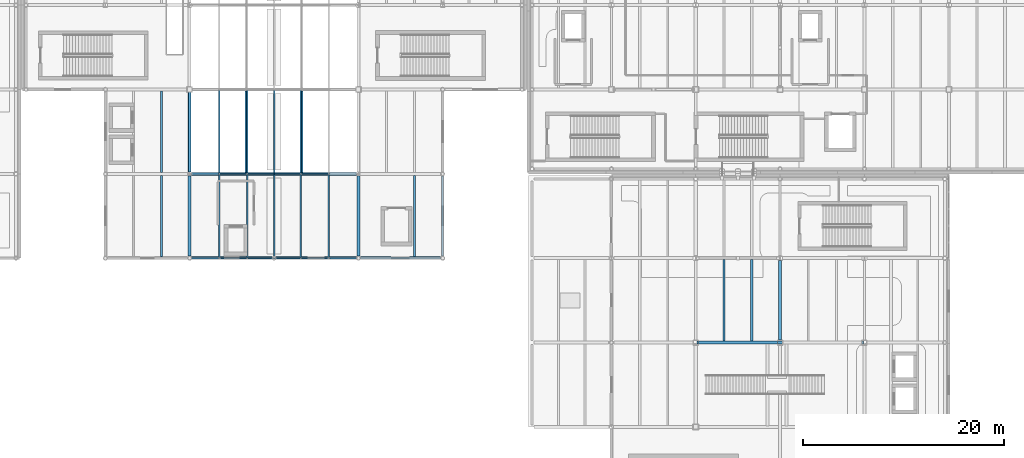
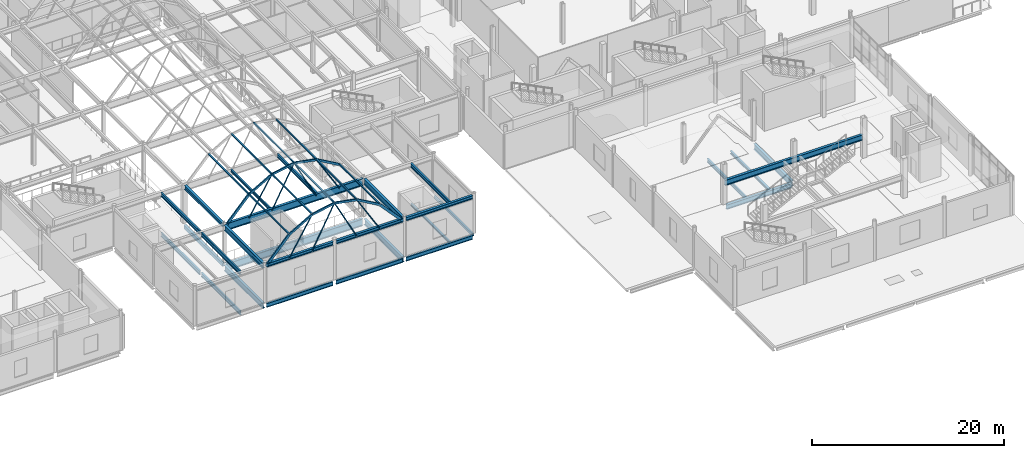
# One storey, part 22 of 103: 28 beams, 28 members.
"""IFC4 building model written with IfcOpenShell, lengths in metres."""

import ifcopenshell
import ifcopenshell.guid

model = None  # the IFC model being written
_history = None  # IfcOwnerHistory: only IFC2X3 demands one
_inside = {}  # id of a spatial element -> (the spatial element, [elements in it])
_under = {}  # id of a project, library or spatial element -> (it, [spatial elements below it])
_declared = {}  # id of a project -> (the project, [libraries it declares])
_typed = {}  # id of a type object -> (the type object, [elements of that type])
_made_of = {}  # id of a material, layer set ... -> (it, [elements and type objects made of it])


def new_model(schema):
    """Start an empty IFC model of exactly this schema.

    Asked for "IFC4X3", IfcOpenShell would pick the latest addendum, in which some entities
    have other attributes; the version numbers below select the first issue.
    IFC2X3 requires an IfcOwnerHistory on every rooted entity: one is made here for all.
    """
    global model, _history
    if schema == "IFC4X3":
        model = ifcopenshell.file(schema_version=(4, 3, 0, 0))
    else:
        model = ifcopenshell.file(schema=schema)
    _inside.clear()
    _under.clear()
    _declared.clear()
    _typed.clear()
    _made_of.clear()
    _history = None
    if model.schema == "IFC2X3":
        org = make("IfcOrganization", Name="unknown")
        user = make(
            "IfcPersonAndOrganization",
            ThePerson=make("IfcPerson", FamilyName="unknown"),
            TheOrganization=org,
        )
        app = make(
            "IfcApplication",
            ApplicationDeveloper=org,
            Version="unknown",
            ApplicationFullName="unknown",
            ApplicationIdentifier="unknown",
        )
        _history = make(
            "IfcOwnerHistory",
            OwningUser=user,
            OwningApplication=app,
            ChangeAction="ADDED",
            CreationDate=0,
        )
    return model


def make(cls, **values):
    """One entity of the class cls with the attributes given. An attribute that is None is left unset."""
    return model.create_entity(
        cls, **{name: value for name, value in values.items() if value is not None}
    )


def rooted(cls, **values):
    """An entity with a GlobalId (a new one), such as an element, a storey or a relation."""
    return make(cls, GlobalId=ifcopenshell.guid.new(), OwnerHistory=_history, **values)


def si_unit(unit_type, name, prefix=None):
    """IfcSIUnit, for example si_unit("LENGTHUNIT", "METRE", prefix="MILLI")."""
    return make("IfcSIUnit", UnitType=unit_type, Prefix=prefix, Name=name)


def assignment(units):
    """IfcUnitAssignment: the units of a project."""
    return None if units is None else make("IfcUnitAssignment", Units=units)


def point(xyz):
    """IfcCartesianPoint."""
    return None if xyz is None else make("IfcCartesianPoint", Coordinates=xyz)


def direction(xyz):
    """IfcDirection."""
    return None if xyz is None else make("IfcDirection", DirectionRatios=xyz)


def frame(location, z_axis=None, x_axis=None):
    """IfcAxis2Placement3D, a coordinate frame: its origin and axes. An axis left out is left unset."""
    return make(
        "IfcAxis2Placement3D",
        Location=point(location),
        Axis=direction(z_axis),
        RefDirection=direction(x_axis),
    )


def frame_2d(location, x_axis=None):
    """IfcAxis2Placement2D, a coordinate frame in the plane: its origin and x axis."""
    return make(
        "IfcAxis2Placement2D", Location=point(location), RefDirection=direction(x_axis)
    )


def origin():
    """The frame at (0, 0, 0) with its axes left unset."""
    return frame((0.0, 0.0, 0.0))


def origin_2d():
    """The frame at (0, 0) in the plane with its x axis left unset."""
    return frame_2d((0.0, 0.0))


def place(relative_to, where):
    """IfcLocalPlacement: puts the frame where relative to a parent placement (None: the world)."""
    return make(
        "IfcLocalPlacement", PlacementRelTo=relative_to, RelativePlacement=where
    )


def context(
    kind, dimensions, precision=None, world=None, true_north=None, identifier=None
):
    """IfcGeometricRepresentationContext, for example the 3D "Model" context."""
    return make(
        "IfcGeometricRepresentationContext",
        ContextIdentifier=identifier,
        ContextType=kind,
        CoordinateSpaceDimension=dimensions,
        Precision=precision,
        WorldCoordinateSystem=world,
        TrueNorth=true_north,
    )


def subcontext(parent, identifier, kind, view, scale=None):
    """IfcGeometricRepresentationSubContext, for example "Body" below "Model"."""
    return make(
        "IfcGeometricRepresentationSubContext",
        ContextIdentifier=identifier,
        ContextType=kind,
        ParentContext=parent,
        TargetScale=scale,
        TargetView=view,
    )


def project(units=None, contexts=None):
    """IfcProject with its units and contexts."""
    return rooted(
        "IfcProject",
        Name="project",
        RepresentationContexts=contexts,
        UnitsInContext=assignment(units),
    )


def spatial(cls, under=None, at=None, **own):
    """A site, building, storey or space (cls), placed at a placement, below another one or the project."""
    s = rooted(cls, ObjectPlacement=at, **own)
    if under is not None:
        _under.setdefault(under.id(), (under, []))[1].append(s)
    return s


def profile(cls, at=None, kind="AREA", **sizes):
    """A parametric profile (cls). Its sizes go by their IFC names, for example OverallWidth=200.0."""
    return make(cls, ProfileType=kind, Position=at, **sizes)


def hollow_rectangle(**sizes):
    """IfcRectangleHollowProfileDef."""
    return profile("IfcRectangleHollowProfileDef", **sizes)


def hollow_circle(**sizes):
    """IfcCircleHollowProfileDef."""
    return profile("IfcCircleHollowProfileDef", **sizes)


def i_section(**sizes):
    """IfcIShapeProfileDef."""
    return profile("IfcIShapeProfileDef", **sizes)


def extrude(swept, where, along, depth):
    """IfcExtrudedAreaSolid: the profile swept, set in the frame where, extruded along a direction by depth."""
    return make(
        "IfcExtrudedAreaSolid",
        SweptArea=swept,
        Position=where,
        ExtrudedDirection=direction(along),
        Depth=depth,
    )


def shape(context_of_items, identifier, shape_type, items):
    """IfcShapeRepresentation: the items that make up one representation, for example the "Body"."""
    return make(
        "IfcShapeRepresentation",
        ContextOfItems=context_of_items,
        RepresentationIdentifier=identifier,
        RepresentationType=shape_type,
        Items=items,
    )


def material(Name=None, Category=None):
    """IfcMaterial."""
    return make("IfcMaterial", Name=Name, Category=Category)


def material_profile(
    of_material, cross_section, Name=None, Category=None, Priority=None
):
    """IfcMaterialProfile: a cross section and its material."""
    return make(
        "IfcMaterialProfile",
        Name=Name,
        Material=of_material,
        Profile=cross_section,
        Priority=Priority,
        Category=Category,
    )


def profile_set(profiles, Name=None, composite=None):
    """IfcMaterialProfileSet."""
    return make(
        "IfcMaterialProfileSet",
        Name=Name,
        MaterialProfiles=profiles,
        CompositeProfile=composite,
    )


def made_of(thing, what):
    """Note that an element or type object is made of a material, layer set ...; save() writes the relation."""
    if what is not None:
        _made_of.setdefault(what.id(), (what, []))[1].append(thing)
    return thing


def type_object(cls, material=None, **own):
    """A type object (cls), such as IfcWallType, which elements share."""
    return made_of(rooted(cls, **own), material)


def element(
    cls,
    number,
    at=None,
    inside=None,
    cuts=None,
    type_object=None,
    material=None,
    context=None,
    identifier="Body",
    shape_type=None,
    held_by="IfcProductDefinitionShape",
    body=None,
    shapes=None,
    **own,
):
    """One element of the class cls, such as IfcWall. Its Tag is "e" and its number.

    at: its placement. inside: the storey or other place that contains it. cuts: it is an
    opening in that element (IfcRelVoidsElement). A single representation is given by context,
    identifier, shape_type and body (its items); several are given by shapes. held_by: the class
    of the entity that holds the representations. save() writes the other relations.
    """
    e = rooted(cls, Tag="e%d" % number, ObjectPlacement=at, **own)
    if body is not None:
        shapes = [shape(context, identifier, shape_type, body)]
    if shapes is not None:
        e.Representation = make(held_by, Representations=shapes)
    if inside is not None:
        _inside.setdefault(inside.id(), (inside, []))[1].append(e)
    if cuts is not None:
        rooted(
            "IfcRelVoidsElement", RelatingBuildingElement=cuts, RelatedOpeningElement=e
        )
    if type_object is not None:
        _typed.setdefault(type_object.id(), (type_object, []))[1].append(e)
    return made_of(e, material)


def aggregate(whole, parts):
    """IfcRelAggregates: a whole, such as a stair, and the parts it consists of."""
    return rooted("IfcRelAggregates", RelatingObject=whole, RelatedObjects=parts)


def save(model, path):
    """Write the relations noted so far, then the file.

    IfcRelAggregates (storeys below a building ...), IfcRelContainedInSpatialStructure (elements
    in a storey), IfcRelDefinesByType, IfcRelAssociatesMaterial and IfcRelDeclares: one each for
    every whole, place, type object, material and project.
    """
    for whole, parts in _under.values():
        aggregate(whole, parts)
    for where, things in _inside.values():
        rooted(
            "IfcRelContainedInSpatialStructure",
            RelatedElements=things,
            RelatingStructure=where,
        )
    for kind, things in _typed.values():
        rooted("IfcRelDefinesByType", RelatedObjects=things, RelatingType=kind)
    for what, things in _made_of.values():
        rooted("IfcRelAssociatesMaterial", RelatedObjects=things, RelatingMaterial=what)
    for by, libraries in _declared.values():
        rooted("IfcRelDeclares", RelatingContext=by, RelatedDefinitions=libraries)
    model.write(path)


model = new_model("IFC4")

# Units and contexts
model_context = context("Model", 3, precision=1e-05, world=origin(), true_north=direction((0.0, 1.0)))
body_context = subcontext(model_context, "Body", "Model", "MODEL_VIEW")
ifc_project = project(units=[si_unit("LENGTHUNIT", "METRE"), si_unit("AREAUNIT", "SQUARE_METRE"), si_unit("VOLUMEUNIT", "CUBIC_METRE"), si_unit("PLANEANGLEUNIT", "RADIAN"), si_unit("MASSUNIT", "GRAM", prefix="KILO"), si_unit("THERMODYNAMICTEMPERATUREUNIT", "KELVIN")], contexts=[model_context])

# Site, building, storey
site_placement = place(None, origin())
site = spatial("IfcSite", under=ifc_project, at=site_placement, CompositionType="ELEMENT")
building_placement = place(site_placement, origin())
building = spatial("IfcBuilding", under=site, at=building_placement, Name="Lustrewick Department Store", CompositionType="ELEMENT")
storey_placement = place(building_placement, frame((0.0, 0.0, 16.5)))
storey = spatial("IfcBuildingStorey", under=building, at=storey_placement, Name="L04", CompositionType="ELEMENT", Elevation=16.5)

# Beams
ifc_material_1 = material(Name="Structural steel Q355B", Category="steel")
ifc_material_profile_1 = material_profile(ifc_material_1, i_section(OverallWidth=0.199951171875, OverallDepth=0.5, WebThickness=0.010009765625, FlangeThickness=0.01611328125, FilletRadius=0.01611328125, at=origin_2d()), Name="HN 500x200x10x16")
ifc_profile_set_1 = profile_set([ifc_material_profile_1], Name="Structural steel Q355B")
beam_type_1 = type_object("IfcBeamType", Name="B01", PredefinedType="JOIST", material=ifc_profile_set_1)
beam_1_placement = place(storey_placement, frame((72.800048828125, 42.1005859375, -0.5048828125), z_axis=(0.0, 1.0, 0.0), x_axis=(-1.0, 0.0, 0.0)))
element("IfcBeam", 1, at=beam_1_placement, inside=storey, type_object=beam_type_1, Name="L04 V2 Secondary Joist B01", PredefinedType="JOIST", context=body_context, shape_type="SweptSolid", body=[
    extrude(i_section(OverallWidth=0.199951171875, OverallDepth=0.5, WebThickness=0.010009765625, FlangeThickness=0.01611328125, FilletRadius=0.01611328125, at=origin_2d()), origin(), (0.0, 0.0, 1.0), 8.14990234375),
])
beam_2_placement = place(storey_placement, frame((72.800048828125, 50.549560546875, -0.5048828125), z_axis=(0.0, 1.0, 0.0), x_axis=(-1.0, 0.0, 0.0)))
element("IfcBeam", 2, at=beam_2_placement, inside=storey, type_object=beam_type_1, Name="L04 V2 Secondary Joist B01", PredefinedType="JOIST", context=body_context, shape_type="SweptSolid", body=[
    extrude(i_section(OverallWidth=0.199951171875, OverallDepth=0.5, WebThickness=0.010009765625, FlangeThickness=0.01611328125, FilletRadius=0.01611328125, at=origin_2d()), origin(), (0.0, 0.0, 1.0), 8.100341796875),
])
beam_3_placement = place(storey_placement, frame((98.0, 42.14990234375, 4.594970703125), z_axis=(0.0, 1.0, 0.0), x_axis=(-1.0, 0.0, 0.0)))
element("IfcBeam", 3, at=beam_3_placement, inside=storey, type_object=beam_type_1, Name="L04 V2 Secondary Joist B01", PredefinedType="JOIST", context=body_context, shape_type="SweptSolid", body=[
    extrude(i_section(OverallWidth=0.199951171875, OverallDepth=0.5, WebThickness=0.010009765625, FlangeThickness=0.01611328125, FilletRadius=0.01611328125, at=origin_2d()), origin(), (0.0, 0.0, 1.0), 8.10009765625),
])
ifc_material_profile_2 = material_profile(ifc_material_1, i_section(OverallWidth=0.198974609375, OverallDepth=0.49609375, WebThickness=0.009033203125, FlangeThickness=0.013916015625, FilletRadius=0.01611328125, at=origin_2d()), Name="HN 496x199x9x14")
ifc_profile_set_2 = profile_set([ifc_material_profile_2], Name="Structural steel Q355B")
beam_type_2 = type_object("IfcBeamType", Name="B02", PredefinedType="JOIST", material=ifc_profile_set_2)
beam_4_placement = place(storey_placement, frame((72.800048828125, 42.14990234375, 4.596923828125), z_axis=(0.0, 1.0, 0.0), x_axis=(-1.0, 0.0, 0.0)))
element("IfcBeam", 4, at=beam_4_placement, inside=storey, type_object=beam_type_2, Name="L04 V2 Secondary Joist B02", PredefinedType="JOIST", context=body_context, shape_type="SweptSolid", body=[
    extrude(i_section(OverallWidth=0.198974609375, OverallDepth=0.49609375, WebThickness=0.009033203125, FlangeThickness=0.013916015625, FilletRadius=0.01611328125, at=origin_2d()), origin(), (0.0, 0.0, 1.0), 8.09912109375),
])
beam_5_placement = place(storey_placement, frame((72.800048828125, 50.551025390625, 4.596923828125), z_axis=(0.0, 1.0, 0.0), x_axis=(-1.0, 0.0, 0.0)))
element("IfcBeam", 5, at=beam_5_placement, inside=storey, type_object=beam_type_2, Name="L04 V2 Secondary Joist B02", PredefinedType="JOIST", context=body_context, shape_type="SweptSolid", body=[
    extrude(i_section(OverallWidth=0.198974609375, OverallDepth=0.49609375, WebThickness=0.009033203125, FlangeThickness=0.013916015625, FilletRadius=0.01611328125, at=origin_2d()), origin(), (0.0, 0.0, 1.0), 8.098876953125),
])
ifc_material_profile_3 = material_profile(ifc_material_1, i_section(OverallWidth=0.199951171875, OverallDepth=0.449951171875, WebThickness=0.009033203125, FlangeThickness=0.013916015625, FilletRadius=0.01611328125, at=origin_2d()), Name="HN 450x200x9x14")
ifc_profile_set_3 = profile_set([ifc_material_profile_3], Name="Structural steel Q355B")
beam_type_3 = type_object("IfcBeamType", Name="B03", PredefinedType="JOIST", material=ifc_profile_set_3)
beam_6_placement = place(storey_placement, frame((86.800048828125, 50.550048828125, 4.6201171875), z_axis=(0.0, 1.0, 0.0), x_axis=(-1.0, 0.0, 0.0)))
element("IfcBeam", 6, at=beam_6_placement, inside=storey, type_object=beam_type_3, Name="L04 V2 Secondary Joist B03", PredefinedType="JOIST", context=body_context, shape_type="SweptSolid", body=[
    extrude(i_section(OverallWidth=0.199951171875, OverallDepth=0.449951171875, WebThickness=0.009033203125, FlangeThickness=0.013916015625, FilletRadius=0.01611328125, at=origin_2d()), origin(), (0.0, 0.0, 1.0), 8.099853515625),
])
ifc_material_profile_4 = material_profile(ifc_material_1, i_section(OverallWidth=0.198974609375, OverallDepth=0.446044921875, WebThickness=0.008056640625, FlangeThickness=0.011962890625, FilletRadius=0.01611328125, at=origin_2d()), Name="HN 446x199x8x12")
ifc_profile_set_4 = profile_set([ifc_material_profile_4], Name="Structural steel Q355B")
beam_type_4 = type_object("IfcBeamType", Name="B04", PredefinedType="JOIST", material=ifc_profile_set_4)
beam_7_placement = place(storey_placement, frame((128.800048828125, 33.75, -0.47802734375), z_axis=(0.0, 1.0, 0.0), x_axis=(-1.0, 0.0, 0.0)))
element("IfcBeam", 7, at=beam_7_placement, inside=storey, type_object=beam_type_4, Name="L04 V3 Secondary Joist B04", PredefinedType="JOIST", context=body_context, shape_type="SweptSolid", body=[
    extrude(i_section(OverallWidth=0.198974609375, OverallDepth=0.446044921875, WebThickness=0.008056640625, FlangeThickness=0.011962890625, FilletRadius=0.01611328125, at=origin_2d()), origin(), (0.0, 0.0, 1.0), 8.10009765625),
])
ifc_material_profile_5 = material_profile(ifc_material_1, i_section(OverallWidth=0.25, OverallDepth=0.340087890625, WebThickness=0.009033203125, FlangeThickness=0.013916015625, FilletRadius=0.01611328125, at=origin_2d()), Name="HM 340x250x9x14")
ifc_profile_set_5 = profile_set([ifc_material_profile_5], Name="Structural steel Q355B")
beam_type_5 = type_object("IfcBeamType", Name="B08", PredefinedType="JOIST", material=ifc_profile_set_5)
beam_8_placement = place(storey_placement, frame((131.60009765625, 33.75, -0.425048828125), z_axis=(0.0, 1.0, 0.0), x_axis=(-1.0, 0.0, 0.0)))
element("IfcBeam", 8, at=beam_8_placement, inside=storey, type_object=beam_type_5, Name="L04 V3 Secondary Joist B08", PredefinedType="JOIST", context=body_context, shape_type="SweptSolid", body=[
    extrude(i_section(OverallWidth=0.25, OverallDepth=0.340087890625, WebThickness=0.009033203125, FlangeThickness=0.013916015625, FilletRadius=0.01611328125, at=origin_2d()), origin(), (0.0, 0.0, 1.0), 8.10009765625),
])
ifc_material_profile_6 = material_profile(ifc_material_1, i_section(OverallWidth=0.175048828125, OverallDepth=0.35009765625, WebThickness=0.007080078125, FlangeThickness=0.010986328125, FilletRadius=0.012939453125, at=origin_2d()), Name="HN 350x175x7x11")
ifc_profile_set_6 = profile_set([ifc_material_profile_6], Name="Structural steel Q355B")
beam_type_6 = type_object("IfcBeamType", Name="B09", PredefinedType="JOIST", material=ifc_profile_set_6)
beam_9_placement = place(storey_placement, frame((81.199951171875, 50.550048828125, 4.669921875), z_axis=(0.0, 1.0, 0.0), x_axis=(-1.0, 0.0, 0.0)))
element("IfcBeam", 9, at=beam_9_placement, inside=storey, type_object=beam_type_6, Name="L04 V2 Secondary Joist B09", PredefinedType="JOIST", context=body_context, shape_type="SweptSolid", body=[
    extrude(i_section(OverallWidth=0.175048828125, OverallDepth=0.35009765625, WebThickness=0.007080078125, FlangeThickness=0.010986328125, FilletRadius=0.012939453125, at=origin_2d()), origin(), (0.0, 0.0, 1.0), 8.099853515625),
])
ifc_material_profile_7 = material_profile(ifc_material_1, i_section(OverallWidth=0.199951171875, OverallDepth=0.2939453125, WebThickness=0.008056640625, FlangeThickness=0.011962890625, FilletRadius=0.013916015625, at=origin_2d()), Name="HM 294x200x8x12")
ifc_profile_set_7 = profile_set([ifc_material_profile_7], Name="Structural steel Q355B")
beam_type_7 = type_object("IfcBeamType", Name="B13", PredefinedType="JOIST", material=ifc_profile_set_7)
beam_10_placement = place(storey_placement, frame((98.0, 42.1005859375, -0.402099609375), z_axis=(0.0, 1.0, 0.0), x_axis=(-1.0, 0.0, 0.0)))
element("IfcBeam", 10, at=beam_10_placement, inside=storey, type_object=beam_type_7, Name="L04 V2 Secondary Joist B13", PredefinedType="JOIST", context=body_context, shape_type="SweptSolid", body=[
    extrude(i_section(OverallWidth=0.199951171875, OverallDepth=0.2939453125, WebThickness=0.008056640625, FlangeThickness=0.011962890625, FilletRadius=0.013916015625, at=origin_2d()), origin(), (0.0, 0.0, 1.0), 8.1494140625),
])

# Members
ifc_material_2 = material(Name="Structural steel Q355C", Category="steel")
ifc_material_profile_8 = material_profile(ifc_material_2, hollow_rectangle(XDim=0.14990234375, YDim=0.300048828125, WallThickness=0.010009765625, at=origin_2d()), Name="RHS 300x150x10")
ifc_profile_set_8 = profile_set([ifc_material_profile_8], Name="Structural steel Q355C")
member_type_1 = type_object("IfcMemberType", Name="DR01", PredefinedType="USERDEFINED", material=ifc_profile_set_8)
for number, where, z_axis, x_axis, name in (
    (11, (75.75, 42.0, 4.4951171875), (0.678233515991, 0.0, 0.734846445039), (0.0, 1.0, 0.0), "V2 Verriere Arch Segment 1.1"),
    (12, (89.445068359375, 42.0, 7.5341796875), (0.678233515991, 0.0, -0.734846445039), (0.0, 1.0, 0.0), "V2 Verriere Arch Segment 1.6"),
    (13, (75.75, 50.39990234375, 4.4951171875), (0.678233515991, 0.0, 0.734846445039), (0.0, 1.0, 0.0), "V2 Verriere Arch Segment 2.1"),
):
    element("IfcMember", number, at=place(storey_placement, frame(where, z_axis=z_axis, x_axis=x_axis)), inside=storey, type_object=member_type_1, Name=name, ObjectType="ARCH_SEGMENT", PredefinedType="USERDEFINED", context=body_context, shape_type="SweptSolid", body=[
        extrude(hollow_rectangle(XDim=0.14990234375, YDim=0.300048828125, WallThickness=0.010009765625, at=origin_2d()), origin(), (0.0, 0.0, 1.0), 4.1357421875),
    ])
ifc_material_profile_9 = material_profile(ifc_material_2, hollow_rectangle(XDim=0.14990234375, YDim=0.25, WallThickness=0.010009765625, at=origin_2d()), Name="RHS 250x150x10")
ifc_profile_set_9 = profile_set([ifc_material_profile_9], Name="Structural steel Q355C")
member_type_2 = type_object("IfcMemberType", Name="DR03", PredefinedType="USERDEFINED", material=ifc_profile_set_9)
member_1_placement = place(storey_placement, frame((78.554931640625, 42.0, 7.5341796875), z_axis=(0.868243142124, 0.0, 0.496138938357), x_axis=(0.0, 1.0, 0.0)))
element("IfcMember", 14, at=member_1_placement, inside=storey, type_object=member_type_2, Name="V2 Verriere Arch Segment 1.2", ObjectType="ARCH_SEGMENT", PredefinedType="USERDEFINED", context=body_context, shape_type="SweptSolid", body=[
    extrude(hollow_rectangle(XDim=0.14990234375, YDim=0.25, WallThickness=0.010009765625, at=origin_2d()), origin(), (0.0, 0.0, 1.0), 3.186767578125),
])
for number, where, z_axis, x_axis, name in (
    (15, (81.32177734375, 42.0, 9.115234375), (0.982347187118, 0.0, 0.187066843563), (0.0, 1.0, 0.0), "V2 Verriere Arch Segment 1.3"),
    (16, (84.0, 42.0, 9.625244140625), (0.982347187118, 0.0, -0.187066843563), (0.0, 1.0, 0.0), "V2 Verriere Arch Segment 1.4"),
):
    element("IfcMember", number, at=place(storey_placement, frame(where, z_axis=z_axis, x_axis=x_axis)), inside=storey, type_object=member_type_2, Name=name, ObjectType="ARCH_SEGMENT", PredefinedType="USERDEFINED", context=body_context, shape_type="SweptSolid", body=[
        extrude(hollow_rectangle(XDim=0.14990234375, YDim=0.25, WallThickness=0.010009765625, at=origin_2d()), origin(), (0.0, 0.0, 1.0), 2.726318359375),
    ])
for number, where, z_axis, x_axis, name in (
    (17, (86.67822265625, 42.0, 9.115234375), (0.868243142124, 0.0, -0.496138938357), (0.0, 1.0, 0.0), "V2 Verriere Arch Segment 1.5"),
    (18, (78.554931640625, 50.39990234375, 7.5341796875), (0.868243142124, 0.0, 0.496138938357), (0.0, 1.0, 0.0), "V2 Verriere Arch Segment 2.2"),
):
    element("IfcMember", number, at=place(storey_placement, frame(where, z_axis=z_axis, x_axis=x_axis)), inside=storey, type_object=member_type_2, Name=name, ObjectType="ARCH_SEGMENT", PredefinedType="USERDEFINED", context=body_context, shape_type="SweptSolid", body=[
        extrude(hollow_rectangle(XDim=0.14990234375, YDim=0.25, WallThickness=0.010009765625, at=origin_2d()), origin(), (0.0, 0.0, 1.0), 3.186767578125),
    ])
for number, where, z_axis, x_axis, name in (
    (19, (81.32177734375, 50.39990234375, 9.115234375), (0.982347187118, 0.0, 0.187066843563), (0.0, 1.0, 0.0), "V2 Verriere Arch Segment 2.3"),
    (20, (84.0, 50.39990234375, 9.625244140625), (0.982347187118, 0.0, -0.187066843563), (0.0, 1.0, 0.0), "V2 Verriere Arch Segment 2.4"),
):
    element("IfcMember", number, at=place(storey_placement, frame(where, z_axis=z_axis, x_axis=x_axis)), inside=storey, type_object=member_type_2, Name=name, ObjectType="ARCH_SEGMENT", PredefinedType="USERDEFINED", context=body_context, shape_type="SweptSolid", body=[
        extrude(hollow_rectangle(XDim=0.14990234375, YDim=0.25, WallThickness=0.010009765625, at=origin_2d()), origin(), (0.0, 0.0, 1.0), 2.726318359375),
    ])
member_2_placement = place(storey_placement, frame((86.67822265625, 50.39990234375, 9.115234375), z_axis=(0.868243142124, 0.0, -0.496138938357), x_axis=(0.0, 1.0, 0.0)))
element("IfcMember", 21, at=member_2_placement, inside=storey, type_object=member_type_2, Name="V2 Verriere Arch Segment 2.5", ObjectType="ARCH_SEGMENT", PredefinedType="USERDEFINED", context=body_context, shape_type="SweptSolid", body=[
    extrude(hollow_rectangle(XDim=0.14990234375, YDim=0.25, WallThickness=0.010009765625, at=origin_2d()), origin(), (0.0, 0.0, 1.0), 3.186767578125),
])
ifc_material_profile_10 = material_profile(ifc_material_1, hollow_rectangle(XDim=0.14990234375, YDim=0.14990234375, WallThickness=0.008056640625, at=origin_2d()), Name="SHS 150x150x8")
ifc_profile_set_10 = profile_set([ifc_material_profile_10], Name="Structural steel Q355B")
member_type_3 = type_object("IfcMemberType", Name="DR05", PredefinedType="PURLIN", material=ifc_profile_set_10)
for number, where, z_axis, x_axis, name in (
    (22, (78.554443359375, 42.0, 7.585205078125), (0.0, 1.0, 0.0), (-1.0, 0.0, 0.0), "V2 Verriere Longitudinal Purlin 1.2"),
    (23, (81.3212890625, 42.0, 9.166259765625), (0.0, 1.0, 0.0), (-1.0, 0.0, 0.0), "V2 Verriere Longitudinal Purlin 1.3"),
    (24, (84.0, 42.0, 9.67626953125), (0.0, 1.0, 0.0), (-1.0, 0.0, 0.0), "V2 Verriere Longitudinal Purlin 1.4"),
    (25, (86.6787109375, 42.0, 9.166259765625), (0.0, 1.0, 0.0), (-1.0, 0.0, 0.0), "V2 Verriere Longitudinal Purlin 1.5"),
    (26, (89.445556640625, 42.0, 7.585205078125), (0.0, 1.0, 0.0), (-1.0, 0.0, 0.0), "V2 Verriere Longitudinal Purlin 1.6"),
):
    element("IfcMember", number, at=place(storey_placement, frame(where, z_axis=z_axis, x_axis=x_axis)), inside=storey, type_object=member_type_3, Name=name, PredefinedType="PURLIN", context=body_context, shape_type="SweptSolid", body=[
        extrude(hollow_rectangle(XDim=0.14990234375, YDim=0.14990234375, WallThickness=0.008056640625, at=origin_2d()), origin(), (0.0, 0.0, 1.0), 8.39990234375),
    ])
for number, where, z_axis, x_axis, name in (
    (27, (78.554443359375, 50.39990234375, 7.585205078125), (0.0, 1.0, 0.0), (-1.0, 0.0, 0.0), "V2 Verriere Longitudinal Purlin 2.2"),
    (28, (81.3212890625, 50.39990234375, 9.166259765625), (0.0, 1.0, 0.0), (-1.0, 0.0, 0.0), "V2 Verriere Longitudinal Purlin 2.3"),
    (29, (84.0, 50.39990234375, 9.67626953125), (0.0, 1.0, 0.0), (-1.0, 0.0, 0.0), "V2 Verriere Longitudinal Purlin 2.4"),
    (30, (86.6787109375, 50.39990234375, 9.166259765625), (0.0, 1.0, 0.0), (-1.0, 0.0, 0.0), "V2 Verriere Longitudinal Purlin 2.5"),
):
    element("IfcMember", number, at=place(storey_placement, frame(where, z_axis=z_axis, x_axis=x_axis)), inside=storey, type_object=member_type_3, Name=name, PredefinedType="PURLIN", context=body_context, shape_type="SweptSolid", body=[
        extrude(hollow_rectangle(XDim=0.14990234375, YDim=0.14990234375, WallThickness=0.008056640625, at=origin_2d()), origin(), (0.0, 0.0, 1.0), 8.400146484375),
    ])
ifc_material_profile_11 = material_profile(ifc_material_2, hollow_circle(Radius=0.070068359375, WallThickness=0.006103515625, at=origin_2d()), Name="CHS 140x6")
ifc_profile_set_11 = profile_set([ifc_material_profile_11], Name="Structural steel Q355C")
member_type_4 = type_object("IfcMemberType", Name="DR10", PredefinedType="BRACE", material=ifc_profile_set_11)
member_3_placement = place(storey_placement, frame((78.554931640625, 42.0, 4.4951171875), z_axis=(0.513782216913, 0.0, 0.857920645272), x_axis=(0.0, 1.0, 0.0)))
element("IfcMember", 31, at=member_3_placement, inside=storey, type_object=member_type_4, Name="V2 Verriere Tension Truss Diagonal 1.1", PredefinedType="BRACE", context=body_context, shape_type="SweptSolid", body=[
    extrude(hollow_circle(Radius=0.070068359375, WallThickness=0.006103515625, at=origin_2d()), origin(), (0.0, 0.0, 1.0), 5.38525390625),
])
member_4_placement = place(storey_placement, frame((81.32177734375, 42.0, 4.4951171875), z_axis=(0.462788020817, 0.0, 0.886468977341), x_axis=(0.0, 1.0, 0.0)))
element("IfcMember", 32, at=member_4_placement, inside=storey, type_object=member_type_4, Name="V2 Verriere Tension Truss Diagonal 1.2", PredefinedType="BRACE", context=body_context, shape_type="SweptSolid", body=[
    extrude(hollow_circle(Radius=0.070068359375, WallThickness=0.006103515625, at=origin_2d()), origin(), (0.0, 0.0, 1.0), 5.787109375),
])
member_5_placement = place(storey_placement, frame((89.445068359375, 42.0, 4.4951171875), z_axis=(-0.513782216913, 0.0, 0.857920645272), x_axis=(0.0, -1.0, 0.0)))
element("IfcMember", 33, at=member_5_placement, inside=storey, type_object=member_type_4, Name="V2 Verriere Tension Truss Diagonal 1.3", PredefinedType="BRACE", context=body_context, shape_type="SweptSolid", body=[
    extrude(hollow_circle(Radius=0.070068359375, WallThickness=0.006103515625, at=origin_2d()), origin(), (0.0, 0.0, 1.0), 5.38525390625),
])
member_6_placement = place(storey_placement, frame((86.67822265625, 42.0, 4.4951171875), z_axis=(-0.462788020817, 0.0, 0.886468977341), x_axis=(0.0, -1.0, 0.0)))
element("IfcMember", 34, at=member_6_placement, inside=storey, type_object=member_type_4, Name="V2 Verriere Tension Truss Diagonal 1.4", PredefinedType="BRACE", context=body_context, shape_type="SweptSolid", body=[
    extrude(hollow_circle(Radius=0.070068359375, WallThickness=0.006103515625, at=origin_2d()), origin(), (0.0, 0.0, 1.0), 5.787109375),
])
member_7_placement = place(storey_placement, frame((78.554931640625, 50.39990234375, 4.4951171875), z_axis=(0.513782216913, 0.0, 0.857920645272), x_axis=(0.0, 1.0, 0.0)))
element("IfcMember", 35, at=member_7_placement, inside=storey, type_object=member_type_4, Name="V2 Verriere Tension Truss Diagonal 2.1", PredefinedType="BRACE", context=body_context, shape_type="SweptSolid", body=[
    extrude(hollow_circle(Radius=0.070068359375, WallThickness=0.006103515625, at=origin_2d()), origin(), (0.0, 0.0, 1.0), 5.38525390625),
])
member_8_placement = place(storey_placement, frame((81.32177734375, 50.39990234375, 4.4951171875), z_axis=(0.462788020817, 0.0, 0.886468977341), x_axis=(0.0, 1.0, 0.0)))
element("IfcMember", 36, at=member_8_placement, inside=storey, type_object=member_type_4, Name="V2 Verriere Tension Truss Diagonal 2.2", PredefinedType="BRACE", context=body_context, shape_type="SweptSolid", body=[
    extrude(hollow_circle(Radius=0.070068359375, WallThickness=0.006103515625, at=origin_2d()), origin(), (0.0, 0.0, 1.0), 5.787109375),
])
member_9_placement = place(storey_placement, frame((89.445068359375, 50.39990234375, 4.4951171875), z_axis=(-0.513782216913, 0.0, 0.857920645272), x_axis=(0.0, -1.0, 0.0)))
element("IfcMember", 37, at=member_9_placement, inside=storey, type_object=member_type_4, Name="V2 Verriere Tension Truss Diagonal 2.3", PredefinedType="BRACE", context=body_context, shape_type="SweptSolid", body=[
    extrude(hollow_circle(Radius=0.070068359375, WallThickness=0.006103515625, at=origin_2d()), origin(), (0.0, 0.0, 1.0), 5.38525390625),
])
member_10_placement = place(storey_placement, frame((86.67822265625, 50.39990234375, 4.4951171875), z_axis=(-0.462788020817, 0.0, 0.886468977341), x_axis=(0.0, -1.0, 0.0)))
element("IfcMember", 38, at=member_10_placement, inside=storey, type_object=member_type_4, Name="V2 Verriere Tension Truss Diagonal 2.4", PredefinedType="BRACE", context=body_context, shape_type="SweptSolid", body=[
    extrude(hollow_circle(Radius=0.070068359375, WallThickness=0.006103515625, at=origin_2d()), origin(), (0.0, 0.0, 1.0), 5.787109375),
])

# Beams
ifc_material_profile_12 = material_profile(ifc_material_2, i_section(OverallWidth=0.302001953125, OverallDepth=0.912109375, WebThickness=0.01806640625, FlangeThickness=0.033935546875, FilletRadius=0.02392578125, at=origin_2d()), Name="HN 912x302x18x34")
ifc_profile_set_12 = profile_set([ifc_material_profile_12], Name="Structural steel Q355C")
beam_type_8 = type_object("IfcBeamType", Name="G01", PredefinedType="BEAM", material=ifc_profile_set_12)
beam_11_placement = place(storey_placement, frame((75.801025390625, 50.39990234375, -0.7109375), z_axis=(1.0, 0.0, 0.0), x_axis=(0.0, 1.0, 0.0)))
element("IfcBeam", 39, at=beam_11_placement, inside=storey, type_object=beam_type_8, Name="L04 V2 Girder G01", PredefinedType="BEAM", context=body_context, shape_type="SweptSolid", body=[
    extrude(i_section(OverallWidth=0.302001953125, OverallDepth=0.912109375, WebThickness=0.01806640625, FlangeThickness=0.033935546875, FilletRadius=0.02392578125, at=origin_2d()), origin(), (0.0, 0.0, 1.0), 16.39794921875),
])
ifc_material_profile_13 = material_profile(ifc_material_2, i_section(OverallWidth=0.300048828125, OverallDepth=0.89990234375, WebThickness=0.01611328125, FlangeThickness=0.028076171875, FilletRadius=0.02392578125, at=origin_2d()), Name="HN 900x300x16x28")
ifc_profile_set_13 = profile_set([ifc_material_profile_13], Name="Structural steel Q355C")
beam_type_9 = type_object("IfcBeamType", Name="G02", PredefinedType="BEAM", material=ifc_profile_set_13)
beam_12_placement = place(storey_placement, frame((75.77490234375, 50.39990234375, 4.39501953125), z_axis=(1.0, 0.0, 0.0), x_axis=(0.0, 1.0, 0.0)))
element("IfcBeam", 40, at=beam_12_placement, inside=storey, type_object=beam_type_9, Name="L04 V2 Girder G02", PredefinedType="BEAM", context=body_context, shape_type="SweptSolid", body=[
    extrude(i_section(OverallWidth=0.300048828125, OverallDepth=0.89990234375, WebThickness=0.01611328125, FlangeThickness=0.028076171875, FilletRadius=0.02392578125, at=origin_2d()), origin(), (0.0, 0.0, 1.0), 16.4501953125),
])
ifc_material_profile_14 = material_profile(ifc_material_2, i_section(OverallWidth=0.302001953125, OverallDepth=0.7080078125, WebThickness=0.014892578125, FlangeThickness=0.028076171875, FilletRadius=0.02001953125, at=origin_2d()), Name="HN 708x302x15x28")
ifc_profile_set_14 = profile_set([ifc_material_profile_14], Name="Structural steel Q355C")
beam_type_10 = type_object("IfcBeamType", Name="G07", PredefinedType="BEAM", material=ifc_profile_set_14)
beam_13_placement = place(storey_placement, frame((92.39990234375, 42.202880859375, -0.60888671875), z_axis=(0.0, 1.0, 0.0), x_axis=(-1.0, 0.0, 0.0)))
element("IfcBeam", 41, at=beam_13_placement, inside=storey, type_object=beam_type_10, Name="L04 V2 Girder G07", PredefinedType="BEAM", context=body_context, shape_type="SweptSolid", body=[
    extrude(i_section(OverallWidth=0.302001953125, OverallDepth=0.7080078125, WebThickness=0.014892578125, FlangeThickness=0.028076171875, FilletRadius=0.02001953125, at=origin_2d()), origin(), (0.0, 0.0, 1.0), 8.003173828125),
])
beam_14_placement = place(storey_placement, frame((134.39990234375, 33.875, -0.60888671875), z_axis=(0.0, 1.0, 0.0), x_axis=(-1.0, 0.0, 0.0)))
element("IfcBeam", 42, at=beam_14_placement, inside=storey, type_object=beam_type_10, Name="L04 V3 Girder G07", PredefinedType="BEAM", context=body_context, shape_type="SweptSolid", body=[
    extrude(i_section(OverallWidth=0.302001953125, OverallDepth=0.7080078125, WebThickness=0.014892578125, FlangeThickness=0.028076171875, FilletRadius=0.02001953125, at=origin_2d()), origin(), (0.0, 0.0, 1.0), 7.875),
])
ifc_material_profile_15 = material_profile(ifc_material_1, i_section(OverallWidth=0.300048828125, OverallDepth=0.699951171875, WebThickness=0.012939453125, FlangeThickness=0.02392578125, FilletRadius=0.02001953125, at=origin_2d()), Name="HN 700x300x13x24")
ifc_profile_set_15 = profile_set([ifc_material_profile_15], Name="Structural steel Q355B")
beam_type_11 = type_object("IfcBeamType", Name="G08", PredefinedType="BEAM", material=ifc_profile_set_15)
beam_15_placement = place(storey_placement, frame((75.60009765625, 42.202880859375, -0.60498046875), z_axis=(0.0, 1.0, 0.0), x_axis=(-1.0, 0.0, 0.0)))
element("IfcBeam", 43, at=beam_15_placement, inside=storey, type_object=beam_type_11, Name="L04 V2 Girder G08", PredefinedType="BEAM", context=body_context, shape_type="SweptSolid", body=[
    extrude(i_section(OverallWidth=0.300048828125, OverallDepth=0.699951171875, WebThickness=0.012939453125, FlangeThickness=0.02392578125, FilletRadius=0.02001953125, at=origin_2d()), origin(), (0.0, 0.0, 1.0), 8.003173828125),
])
beam_16_placement = place(storey_placement, frame((92.39990234375, 42.202880859375, 4.4951171875), z_axis=(0.0, 1.0, 0.0), x_axis=(-1.0, 0.0, 0.0)))
element("IfcBeam", 44, at=beam_16_placement, inside=storey, type_object=beam_type_11, Name="L04 V2 Girder G08", PredefinedType="BEAM", context=body_context, shape_type="SweptSolid", body=[
    extrude(i_section(OverallWidth=0.300048828125, OverallDepth=0.699951171875, WebThickness=0.012939453125, FlangeThickness=0.02392578125, FilletRadius=0.02001953125, at=origin_2d()), origin(), (0.0, 0.0, 1.0), 8.022216796875),
])
beam_17_placement = place(storey_placement, frame((126.10009765625, 33.60009765625, 2.60009765625), z_axis=(1.0, 0.0, 0.0), x_axis=(0.0, 1.0, 0.0)))
element("IfcBeam", 45, at=beam_17_placement, inside=storey, type_object=beam_type_11, Name="L04 Feature Stair AST04 Stringer Girder EW1.2", PredefinedType="BEAM", context=body_context, shape_type="SweptSolid", body=[
    extrude(i_section(OverallWidth=0.300048828125, OverallDepth=0.699951171875, WebThickness=0.012939453125, FlangeThickness=0.02392578125, FilletRadius=0.02001953125, at=origin_2d()), origin(), (0.0, 0.0, 1.0), 16.599853515625),
])
ifc_material_profile_16 = material_profile(ifc_material_1, i_section(OverallWidth=0.300048828125, OverallDepth=0.69189453125, WebThickness=0.012939453125, FlangeThickness=0.02001953125, FilletRadius=0.02001953125, at=origin_2d()), Name="HN 692x300x13x20")
ifc_profile_set_16 = profile_set([ifc_material_profile_16], Name="Structural steel Q355B")
beam_type_12 = type_object("IfcBeamType", Name="G09", PredefinedType="BEAM", material=ifc_profile_set_16)
beam_18_placement = place(storey_placement, frame((75.60009765625, 42.202880859375, 4.4990234375), z_axis=(0.0, 1.0, 0.0), x_axis=(-1.0, 0.0, 0.0)))
element("IfcBeam", 46, at=beam_18_placement, inside=storey, type_object=beam_type_12, Name="L04 V2 Girder G09", PredefinedType="BEAM", context=body_context, shape_type="SweptSolid", body=[
    extrude(i_section(OverallWidth=0.300048828125, OverallDepth=0.69189453125, WebThickness=0.012939453125, FlangeThickness=0.02001953125, FilletRadius=0.02001953125, at=origin_2d()), origin(), (0.0, 0.0, 1.0), 8.022216796875),
])
ifc_material_profile_17 = material_profile(ifc_material_1, i_section(OverallWidth=0.300048828125, OverallDepth=0.587890625, WebThickness=0.011962890625, FlangeThickness=0.02001953125, FilletRadius=0.02392578125, at=origin_2d()), Name="HM 588x300x12x20")
ifc_profile_set_17 = profile_set([ifc_material_profile_17], Name="Structural steel Q355B")
beam_type_13 = type_object("IfcBeamType", Name="G11", PredefinedType="BEAM", material=ifc_profile_set_17)
beam_19_placement = place(storey_placement, frame((126.27490234375, 33.60009765625, -0.549072265625), z_axis=(1.0, 0.0, 0.0), x_axis=(0.0, 1.0, 0.0)))
element("IfcBeam", 47, at=beam_19_placement, inside=storey, type_object=beam_type_13, Name="L04 V3 Girder G11", PredefinedType="BEAM", context=body_context, shape_type="SweptSolid", body=[
    extrude(i_section(OverallWidth=0.300048828125, OverallDepth=0.587890625, WebThickness=0.011962890625, FlangeThickness=0.02001953125, FilletRadius=0.02392578125, at=origin_2d()), origin(), (0.0, 0.0, 1.0), 7.85009765625),
])
ifc_material_profile_18 = material_profile(ifc_material_2, hollow_rectangle(XDim=0.25, YDim=0.449951171875, WallThickness=0.013916015625, at=origin_2d()), Name="RHS 450x250x14")
ifc_profile_set_18 = profile_set([ifc_material_profile_18], Name="Structural steel Q355C")
beam_type_14 = type_object("IfcBeamType", Name="G18", PredefinedType="BEAM", material=ifc_profile_set_18)
beam_20_placement = place(storey_placement, frame((75.60009765625, 50.593994140625, -0.47998046875), z_axis=(0.0, 1.0, 0.0), x_axis=(-1.0, 0.0, 0.0)))
element("IfcBeam", 48, at=beam_20_placement, inside=storey, type_object=beam_type_14, Name="L04 V2 Girder G18", PredefinedType="BEAM", context=body_context, shape_type="SweptSolid", body=[
    extrude(hollow_rectangle(XDim=0.25, YDim=0.449951171875, WallThickness=0.013916015625, at=origin_2d()), origin(), (0.0, 0.0, 1.0), 8.031005859375),
])
ifc_material_profile_19 = material_profile(ifc_material_1, i_section(OverallWidth=0.300048828125, OverallDepth=0.48193359375, WebThickness=0.010986328125, FlangeThickness=0.014892578125, FilletRadius=0.02197265625, at=origin_2d()), Name="HM 482x300x11x15")
ifc_profile_set_19 = profile_set([ifc_material_profile_19], Name="Structural steel Q355B")
beam_type_15 = type_object("IfcBeamType", Name="G20", PredefinedType="BEAM", material=ifc_profile_set_19)
beam_21_placement = place(storey_placement, frame((75.60009765625, 50.574951171875, 4.60400390625), z_axis=(0.0, 1.0, 0.0), x_axis=(-1.0, 0.0, 0.0)))
element("IfcBeam", 49, at=beam_21_placement, inside=storey, type_object=beam_type_15, Name="L04 V2 Girder G20", PredefinedType="BEAM", context=body_context, shape_type="SweptSolid", body=[
    extrude(i_section(OverallWidth=0.300048828125, OverallDepth=0.48193359375, WebThickness=0.010986328125, FlangeThickness=0.014892578125, FilletRadius=0.02197265625, at=origin_2d()), origin(), (0.0, 0.0, 1.0), 7.949951171875),
])
ifc_material_profile_20 = material_profile(ifc_material_1, i_section(OverallWidth=0.200927734375, OverallDepth=0.506103515625, WebThickness=0.010986328125, FlangeThickness=0.01904296875, FilletRadius=0.01611328125, at=origin_2d()), Name="HN 506x201x11x19")
ifc_profile_set_20 = profile_set([ifc_material_profile_20], Name="Structural steel Q355B")
beam_type_16 = type_object("IfcBeamType", Name="SP01", PredefinedType="SPANDREL", material=ifc_profile_set_20)
for number, where, z_axis, x_axis, name in (
    (50, (75.802978515625, 42.0, -0.508056640625), (1.0, 0.0, 0.0), (0.0, 1.0, 0.0), "L04 V2 Girder SP01"),
    (51, (84.202880859375, 42.0, -0.508056640625), (1.0, 0.0, 0.0), (0.0, 1.0, 0.0), "L04 V2 Girder SP01"),
):
    element("IfcBeam", number, at=place(storey_placement, frame(where, z_axis=z_axis, x_axis=x_axis)), inside=storey, type_object=beam_type_16, Name=name, PredefinedType="SPANDREL", context=body_context, shape_type="SweptSolid", body=[
        extrude(i_section(OverallWidth=0.200927734375, OverallDepth=0.506103515625, WebThickness=0.010986328125, FlangeThickness=0.01904296875, FilletRadius=0.01611328125, at=origin_2d()), origin(), (0.0, 0.0, 1.0), 7.994140625),
    ])
beam_22_placement = place(storey_placement, frame((92.60302734375, 42.0, -0.508056640625), z_axis=(1.0, 0.0, 0.0), x_axis=(0.0, 1.0, 0.0)))
element("IfcBeam", 52, at=beam_22_placement, inside=storey, type_object=beam_type_16, Name="L04 V2 Girder SP01", PredefinedType="SPANDREL", context=body_context, shape_type="SweptSolid", body=[
    extrude(i_section(OverallWidth=0.200927734375, OverallDepth=0.506103515625, WebThickness=0.010986328125, FlangeThickness=0.01904296875, FilletRadius=0.01611328125, at=origin_2d()), origin(), (0.0, 0.0, 1.0), 7.993896484375),
])
ifc_material_profile_21 = material_profile(ifc_material_1, i_section(OverallWidth=0.300048828125, OverallDepth=0.43994140625, WebThickness=0.010986328125, FlangeThickness=0.01806640625, FilletRadius=0.02001953125, at=origin_2d()), Name="HM 440x300x11x18")
ifc_profile_set_21 = profile_set([ifc_material_profile_21], Name="Structural steel Q355B")
beam_type_17 = type_object("IfcBeamType", Name="SP02", PredefinedType="SPANDREL", material=ifc_profile_set_21)
for number, where, z_axis, x_axis, name in (
    (53, (75.802978515625, 42.0, 4.625), (1.0, 0.0, 0.0), (0.0, 1.0, 0.0), "L04 V2 Girder SP02"),
    (54, (84.202880859375, 42.0, 4.625), (1.0, 0.0, 0.0), (0.0, 1.0, 0.0), "L04 V2 Girder SP02"),
):
    element("IfcBeam", number, at=place(storey_placement, frame(where, z_axis=z_axis, x_axis=x_axis)), inside=storey, type_object=beam_type_17, Name=name, PredefinedType="SPANDREL", context=body_context, shape_type="SweptSolid", body=[
        extrude(i_section(OverallWidth=0.300048828125, OverallDepth=0.43994140625, WebThickness=0.010986328125, FlangeThickness=0.01806640625, FilletRadius=0.02001953125, at=origin_2d()), origin(), (0.0, 0.0, 1.0), 7.994140625),
    ])
beam_23_placement = place(storey_placement, frame((92.60302734375, 42.0, 4.625), z_axis=(1.0, 0.0, 0.0), x_axis=(0.0, 1.0, 0.0)))
element("IfcBeam", 55, at=beam_23_placement, inside=storey, type_object=beam_type_17, Name="L04 V2 Girder SP02", PredefinedType="SPANDREL", context=body_context, shape_type="SweptSolid", body=[
    extrude(i_section(OverallWidth=0.300048828125, OverallDepth=0.43994140625, WebThickness=0.010986328125, FlangeThickness=0.01806640625, FilletRadius=0.02001953125, at=origin_2d()), origin(), (0.0, 0.0, 1.0), 7.993896484375),
])
ifc_material_profile_22 = material_profile(ifc_material_2, hollow_rectangle(XDim=0.199951171875, YDim=0.35009765625, WallThickness=0.011962890625, at=origin_2d()), Name="RHS 350x200x12")
ifc_profile_set_22 = profile_set([ifc_material_profile_22], Name="Structural steel Q355C")
beam_type_18 = type_object("IfcBeamType", Name="SP03", PredefinedType="SPANDREL", material=ifc_profile_set_22)
beam_24_placement = place(storey_placement, frame((100.800048828125, 42.202880859375, -0.429931640625), z_axis=(0.0, 1.0, 0.0), x_axis=(-1.0, 0.0, 0.0)))
element("IfcBeam", 56, at=beam_24_placement, inside=storey, type_object=beam_type_18, Name="L04 V2 Girder SP03", PredefinedType="SPANDREL", context=body_context, shape_type="SweptSolid", body=[
    extrude(hollow_rectangle(XDim=0.199951171875, YDim=0.35009765625, WallThickness=0.011962890625, at=origin_2d()), origin(), (0.0, 0.0, 1.0), 8.008544921875),
])

save(model, "model.ifc")
